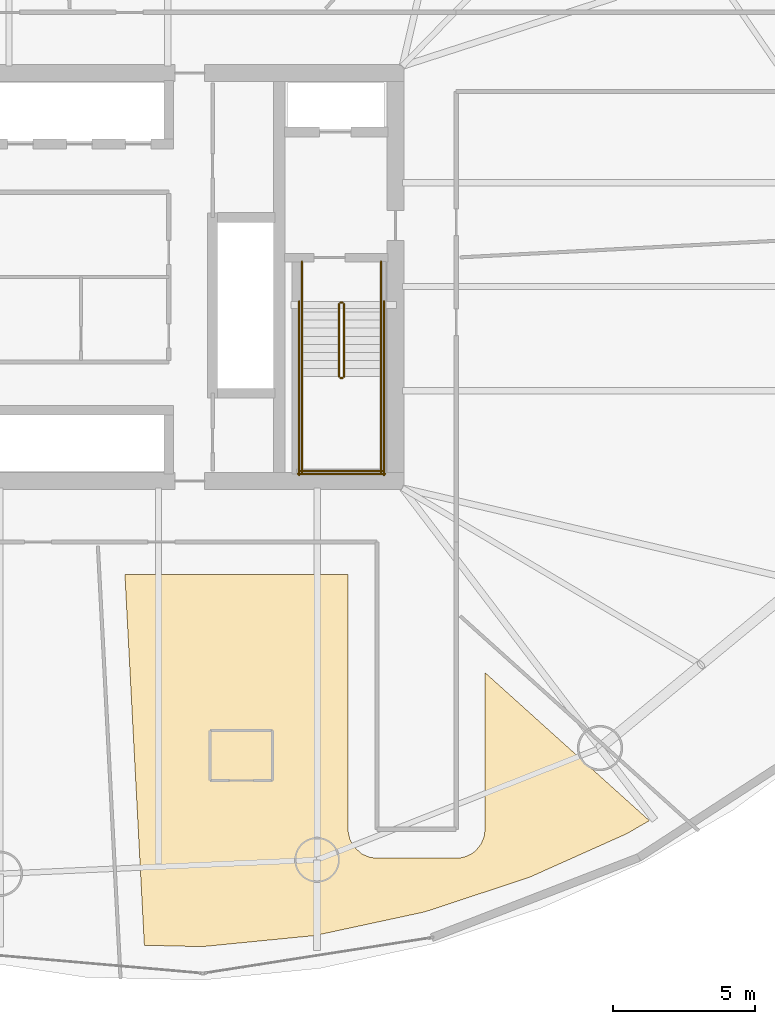
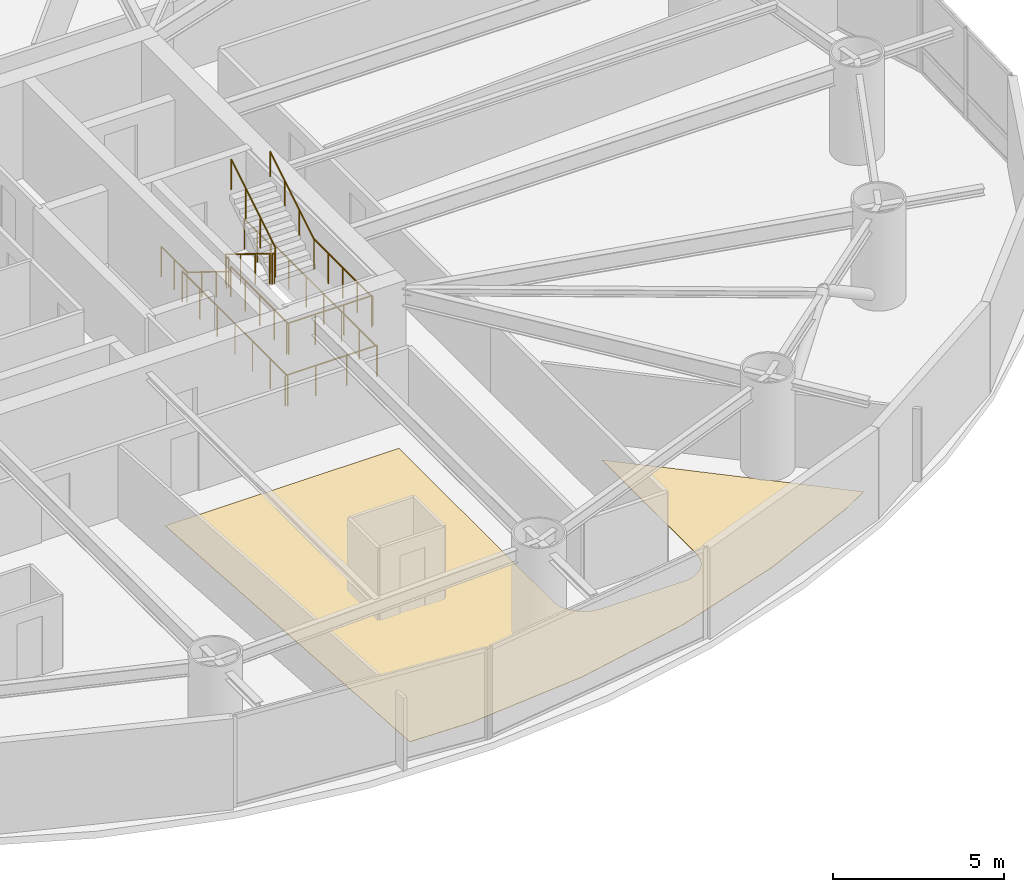
# One storey, part 23 of 24: 14 railings, 1 covering.
"""IFC4 building model written with IfcOpenShell, lengths in metres."""

from ifc_helpers import new_model, si_unit, direction, frame, origin, origin_2d, place, context, subcontext, project, spatial, polyline, circle, outline, extrude, material, layer, layer_set, type_object, element, save


model = new_model("IFC4")

# Units and contexts
model_context = context("Model", 3, precision=1e-05, world=origin(), true_north=direction((0.0, 1.0)))
body_context = subcontext(model_context, "Body", "Model", "MODEL_VIEW")
ifc_project = project(units=[si_unit("LENGTHUNIT", "METRE"), si_unit("AREAUNIT", "SQUARE_METRE"), si_unit("VOLUMEUNIT", "CUBIC_METRE"), si_unit("PLANEANGLEUNIT", "RADIAN"), si_unit("MASSUNIT", "GRAM", prefix="KILO")], contexts=[model_context])

# Site, building, storey
site_placement = place(None, origin())
site = spatial("IfcSite", under=ifc_project, at=site_placement, CompositionType="ELEMENT")
building_placement = place(site_placement, origin())
building = spatial("IfcBuilding", under=site, at=building_placement, Name="Bramvorn Convention Spire", CompositionType="ELEMENT")
storey_placement = place(building_placement, frame((0.0, 0.0, 83.39990234375)))
storey = spatial("IfcBuildingStorey", under=building, at=storey_placement, Name="L19", CompositionType="ELEMENT", Elevation=83.39990234375)

# Covering
ifc_material_1 = material(Name="Solution-Dyed Wool Broadloom Hospitality Carpet", Category="textile")
ifc_layer = layer(ifc_material_1, 0.014892578125)
ifc_layer_set = layer_set([ifc_layer], Name="Solution-Dyed Wool Broadloom Hospitality Carpet - FLR-CARPET-15")
covering_type = type_object("IfcCoveringType", Name="FLR-CARPET-15", PredefinedType="FLOORING", material=ifc_layer_set)
covering_placement = place(storey_placement, origin())
element("IfcCovering", 1, at=covering_placement, inside=storey, type_object=covering_type, Name="Hotel Suite 1907 wool broadloom carpet", PredefinedType="FLOORING", context=body_context, shape_type="SweptSolid", body=[
    extrude(outline(polyline([(57.169677734375, 6.344482421875), (57.970947265625, 6.806884765625), (52.169921875, 12.0302734375), (52.169921875, 6.5), (52.137939453125, 6.24658203125), (52.021728515625, 5.970703125), (51.83935546875, 5.748291015625), (51.679443359375, 5.62841796875), (51.488037109375, 5.537841796875), (51.293701171875, 5.490234375), (48.35009765625, 5.47998046875), (48.096435546875, 5.51220703125), (47.820556640625, 5.62841796875), (47.534423828125, 5.8876953125), (47.3916015625, 6.15087890625), (47.331787109375, 6.444091796875), (47.330078125, 15.5), (39.451416015625, 15.5), (40.1376953125, 2.406494140625), (42.177734375, 2.3583984375), (46.159423828125, 2.75), (50.037353515625, 3.584716796875), (53.733154296875, 4.80517578125), (57.169677734375, 6.344482421875)])), origin(), (0.0, 0.0, 1.0), 0.01513671875),
])

# Railings
ifc_material_2 = material(Name="Painted Steel Balustrade & Guardrail", Category="steel")
railing_type_1 = type_object("IfcRailingType", Name="RL-STAIR-GUARD-1100", PredefinedType="GUARDRAIL", material=ifc_material_2)
railing_1_placement = place(storey_placement, frame((47.010009765625, 25.050048828125, 0.175048828125)))
element("IfcRailing", 2, at=railing_1_placement, inside=storey, type_object=railing_type_1, Name="L19 ST2 stair guard 1", PredefinedType="GUARDRAIL", context=body_context, shape_type="SweptSolid", body=[
    extrude(circle(Radius=0.02392578125, at=origin_2d()), frame((0.0, 0.0, 1.076171875), z_axis=(0.0, -0.852173129349, 0.523259933127), x_axis=(1.0, 0.0, 0.0)), (0.0, 0.0, 1.0), 3.009765625),
    extrude(circle(Radius=0.02099609375, at=origin_2d()), origin(), (0.0, 0.0, 1.0), 1.052001953125),
    extrude(circle(Radius=0.02099609375, at=origin_2d()), frame((0.0, -0.85498046875, 0.52490234375)), (0.0, 0.0, 1.0), 1.052001953125),
    extrude(circle(Radius=0.02099609375, at=origin_2d()), frame((0.0, -1.7099609375, 1.050048828125)), (0.0, 0.0, 1.0), 1.052001953125),
    extrude(circle(Radius=0.02099609375, at=origin_2d()), frame((0.0, -2.56494140625, 1.574951171875)), (0.0, 0.0, 1.0), 1.052001953125),
])
railing_2_placement = place(storey_placement, frame((47.06005859375, 22.43505859375, 1.75)))
element("IfcRailing", 3, at=railing_2_placement, inside=storey, type_object=railing_type_1, Name="L19 ST2 stair guard 2", PredefinedType="GUARDRAIL", context=body_context, shape_type="SweptSolid", body=[
    extrude(circle(Radius=0.02392578125, at=origin_2d()), frame((0.0, 0.0, 1.076171875), z_axis=(1.0, 0.0, 0.0), x_axis=(0.0, 1.0, 0.0)), (0.0, 0.0, 1.0), 0.079833984375),
    extrude(circle(Radius=0.02099609375, at=origin_2d()), origin(), (0.0, 0.0, 1.0), 1.052001953125),
    extrude(circle(Radius=0.02099609375, at=origin_2d()), frame((0.079833984375, 0.0, 0.0)), (0.0, 0.0, 1.0), 1.052001953125),
])
for number, where, name in (
    (4, (45.699951171875, 22.485107421875, 1.75), "L19 ST2 stair guard 3"),
    (5, (48.5, 22.485107421875, 1.75), "L19 ST2 stair guard 4"),
):
    element("IfcRailing", number, at=place(storey_placement, frame(where)), inside=storey, type_object=railing_type_1, Name=name, PredefinedType="GUARDRAIL", context=body_context, shape_type="SweptSolid", body=[
        extrude(circle(Radius=0.02392578125, at=origin_2d()), frame((0.0, 0.0, 1.076171875), z_axis=(0.0, -1.0, 0.0), x_axis=(1.0, 0.0, 0.0)), (0.0, 0.0, 1.0), 3.385009765625),
        extrude(circle(Radius=0.02099609375, at=origin_2d()), origin(), (0.0, 0.0, 1.0), 1.052001953125),
        extrude(circle(Radius=0.02099609375, at=origin_2d()), frame((0.0, -0.84619140625, 0.0)), (0.0, 0.0, 1.0), 1.052001953125),
        extrude(circle(Radius=0.02099609375, at=origin_2d()), frame((0.0, -1.6923828125, 0.0)), (0.0, 0.0, 1.0), 1.052001953125),
        extrude(circle(Radius=0.02099609375, at=origin_2d()), frame((0.0, -2.538818359375, 0.0)), (0.0, 0.0, 1.0), 1.052001953125),
        extrude(circle(Radius=0.02099609375, at=origin_2d()), frame((0.0, -3.385009765625, 0.0)), (0.0, 0.0, 1.0), 1.052001953125),
    ])
railing_3_placement = place(storey_placement, frame((45.64990234375, 19.14990234375, 1.75)))
element("IfcRailing", 6, at=railing_3_placement, inside=storey, type_object=railing_type_1, Name="L19 ST2 stair guard 5", PredefinedType="GUARDRAIL", context=body_context, shape_type="SweptSolid", body=[
    extrude(circle(Radius=0.02392578125, at=origin_2d()), frame((0.0, 0.0, 1.076171875), z_axis=(1.0, 0.0, 0.0), x_axis=(0.0, 1.0, 0.0)), (0.0, 0.0, 1.0), 2.900146484375),
    extrude(circle(Radius=0.02099609375, at=origin_2d()), origin(), (0.0, 0.0, 1.0), 1.052001953125),
    extrude(circle(Radius=0.02099609375, at=origin_2d()), frame((0.966796875, 0.0, 0.0)), (0.0, 0.0, 1.0), 1.052001953125),
    extrude(circle(Radius=0.02099609375, at=origin_2d()), frame((1.933349609375, 0.0, 0.0)), (0.0, 0.0, 1.0), 1.052001953125),
    extrude(circle(Radius=0.02099609375, at=origin_2d()), frame((2.900146484375, 0.0, 0.0)), (0.0, 0.0, 1.0), 1.052001953125),
])
railing_4_placement = place(storey_placement, frame((47.18994140625, 22.485107421875, 1.925048828125)))
element("IfcRailing", 7, at=railing_4_placement, inside=storey, type_object=railing_type_1, Name="L19 ST2 stair guard 6", PredefinedType="GUARDRAIL", context=body_context, shape_type="SweptSolid", body=[
    extrude(circle(Radius=0.02392578125, at=origin_2d()), frame((0.0, 0.0, 1.076171875), z_axis=(0.0, 0.852173129349, 0.523259933127), x_axis=(-1.0, 0.0, 0.0)), (0.0, 0.0, 1.0), 3.009765625),
    extrude(circle(Radius=0.02099609375, at=origin_2d()), origin(), (0.0, 0.0, 1.0), 1.052001953125),
    extrude(circle(Radius=0.02099609375, at=origin_2d()), frame((0.0, 0.85498046875, 0.52490234375)), (0.0, 0.0, 1.0), 1.052001953125),
    extrude(circle(Radius=0.02099609375, at=origin_2d()), frame((0.0, 1.7099609375, 1.050048828125)), (0.0, 0.0, 1.0), 1.052001953125),
    extrude(circle(Radius=0.02099609375, at=origin_2d()), frame((0.0, 2.56494140625, 1.574951171875)), (0.0, 0.0, 1.0), 1.052001953125),
])
railing_5_placement = place(storey_placement, frame((47.06005859375, 25.10009765625, 0.0)))
element("IfcRailing", 8, at=railing_5_placement, inside=storey, type_object=railing_type_1, Name="L19 ST2 stair guard 7", PredefinedType="GUARDRAIL", context=body_context, shape_type="SweptSolid", body=[
    extrude(circle(Radius=0.02392578125, at=origin_2d()), frame((0.0, 0.0, 1.076171875), z_axis=(1.0, 0.0, 0.0), x_axis=(0.0, 1.0, 0.0)), (0.0, 0.0, 1.0), 0.079833984375),
    extrude(circle(Radius=0.02099609375, at=origin_2d()), origin(), (0.0, 0.0, 1.0), 1.052001953125),
    extrude(circle(Radius=0.02099609375, at=origin_2d()), frame((0.079833984375, 0.0, 0.0)), (0.0, 0.0, 1.0), 1.052001953125),
])
for number, where, name in (
    (9, (45.699951171875, 26.550048828125, 0.0), "L19 ST2 stair guard 8"),
    (10, (48.5, 26.550048828125, 0.0), "L19 ST2 stair guard 9"),
):
    element("IfcRailing", number, at=place(storey_placement, frame(where)), inside=storey, type_object=railing_type_1, Name=name, PredefinedType="GUARDRAIL", context=body_context, shape_type="SweptSolid", body=[
        extrude(circle(Radius=0.02392578125, at=origin_2d()), frame((0.0, 0.0, 1.076171875), z_axis=(0.0, -1.0, 0.0), x_axis=(1.0, 0.0, 0.0)), (0.0, 0.0, 1.0), 1.5),
        extrude(circle(Radius=0.02099609375, at=origin_2d()), origin(), (0.0, 0.0, 1.0), 1.052001953125),
        extrude(circle(Radius=0.02099609375, at=origin_2d()), frame((0.0, -0.75, 0.0)), (0.0, 0.0, 1.0), 1.052001953125),
        extrude(circle(Radius=0.02099609375, at=origin_2d()), frame((0.0, -1.5, 0.0)), (0.0, 0.0, 1.0), 1.052001953125),
    ])
for number, where, name in (
    (11, (45.60009765625, 25.14990234375, 0.0), "L19 ST2 stair guard 10"),
    (12, (48.60009765625, 25.14990234375, 0.0), "L19 ST2 stair guard 11"),
):
    element("IfcRailing", number, at=place(storey_placement, frame(where)), inside=storey, type_object=railing_type_1, Name=name, PredefinedType="GUARDRAIL", context=body_context, shape_type="SweptSolid", body=[
        extrude(circle(Radius=0.02392578125, at=origin_2d()), frame((0.0, 0.0, 1.076171875), z_axis=(0.0, -1.0, 0.0), x_axis=(1.0, 0.0, 0.0)), (0.0, 0.0, 1.0), 6.14990234375),
        extrude(circle(Radius=0.02099609375, at=origin_2d()), origin(), (0.0, 0.0, 1.0), 1.052001953125),
        extrude(circle(Radius=0.02099609375, at=origin_2d()), frame((0.0, -1.02490234375, 0.0)), (0.0, 0.0, 1.0), 1.052001953125),
        extrude(circle(Radius=0.02099609375, at=origin_2d()), frame((0.0, -2.050048828125, 0.0)), (0.0, 0.0, 1.0), 1.052001953125),
        extrude(circle(Radius=0.02099609375, at=origin_2d()), frame((0.0, -3.074951171875, 0.0)), (0.0, 0.0, 1.0), 1.052001953125),
        extrude(circle(Radius=0.02099609375, at=origin_2d()), frame((0.0, -4.099853515625, 0.0)), (0.0, 0.0, 1.0), 1.052001953125),
        extrude(circle(Radius=0.02099609375, at=origin_2d()), frame((0.0, -5.125, 0.0)), (0.0, 0.0, 1.0), 1.052001953125),
        extrude(circle(Radius=0.02099609375, at=origin_2d()), frame((0.0, -6.14990234375, 0.0)), (0.0, 0.0, 1.0), 1.052001953125),
    ])
railing_6_placement = place(storey_placement, frame((45.550048828125, 19.050048828125, 0.0)))
element("IfcRailing", 13, at=railing_6_placement, inside=storey, type_object=railing_type_1, Name="L19 ST2 stair guard 12", PredefinedType="GUARDRAIL", context=body_context, shape_type="SweptSolid", body=[
    extrude(circle(Radius=0.02392578125, at=origin_2d()), frame((0.0, 0.0, 1.076171875), z_axis=(1.0, 0.0, 0.0), x_axis=(0.0, 1.0, 0.0)), (0.0, 0.0, 1.0), 3.099853515625),
    extrude(circle(Radius=0.02099609375, at=origin_2d()), origin(), (0.0, 0.0, 1.0), 1.052001953125),
    extrude(circle(Radius=0.02099609375, at=origin_2d()), frame((1.033203125, 0.0, 0.0)), (0.0, 0.0, 1.0), 1.052001953125),
    extrude(circle(Radius=0.02099609375, at=origin_2d()), frame((2.066650390625, 0.0, 0.0)), (0.0, 0.0, 1.0), 1.052001953125),
    extrude(circle(Radius=0.02099609375, at=origin_2d()), frame((3.099853515625, 0.0, 0.0)), (0.0, 0.0, 1.0), 1.052001953125),
])
ifc_material_3 = material(Name="Brushed Bronze Tubular Handrail", Category="aluminium")
railing_type_2 = type_object("IfcRailingType", Name="RL-STAIR-HR-920", PredefinedType="HANDRAIL", material=ifc_material_3)
railing_7_placement = place(storey_placement, frame((45.699951171875, 25.050048828125, 0.175048828125)))
element("IfcRailing", 14, at=railing_7_placement, inside=storey, type_object=railing_type_2, Name="L19 ST2 stair handrail 1", PredefinedType="HANDRAIL", context=body_context, shape_type="SweptSolid", body=[
    extrude(circle(Radius=0.02392578125, at=origin_2d()), frame((0.0, 0.0, 0.89599609375), z_axis=(0.0, -0.852173129349, 0.523259933127), x_axis=(1.0, 0.0, 0.0)), (0.0, 0.0, 1.0), 3.009765625),
    extrude(circle(Radius=0.02099609375, at=origin_2d()), origin(), (0.0, 0.0, 1.0), 0.871826171875),
    extrude(circle(Radius=0.02099609375, at=origin_2d()), frame((0.0, -0.85498046875, 0.52490234375)), (0.0, 0.0, 1.0), 0.871826171875),
    extrude(circle(Radius=0.02099609375, at=origin_2d()), frame((0.0, -1.7099609375, 1.050048828125)), (0.0, 0.0, 1.0), 0.871826171875),
    extrude(circle(Radius=0.02099609375, at=origin_2d()), frame((0.0, -2.56494140625, 1.574951171875)), (0.0, 0.0, 1.0), 0.871826171875),
])
railing_8_placement = place(storey_placement, frame((48.5, 22.485107421875, 1.925048828125)))
element("IfcRailing", 15, at=railing_8_placement, inside=storey, type_object=railing_type_2, Name="L19 ST2 stair handrail 2", PredefinedType="HANDRAIL", context=body_context, shape_type="SweptSolid", body=[
    extrude(circle(Radius=0.02392578125, at=origin_2d()), frame((0.0, 0.0, 0.89599609375), z_axis=(0.0, 0.852173129349, 0.523259933127), x_axis=(-1.0, 0.0, 0.0)), (0.0, 0.0, 1.0), 3.009765625),
    extrude(circle(Radius=0.02099609375, at=origin_2d()), origin(), (0.0, 0.0, 1.0), 0.871826171875),
    extrude(circle(Radius=0.02099609375, at=origin_2d()), frame((0.0, 0.85498046875, 0.52490234375)), (0.0, 0.0, 1.0), 0.871826171875),
    extrude(circle(Radius=0.02099609375, at=origin_2d()), frame((0.0, 1.7099609375, 1.050048828125)), (0.0, 0.0, 1.0), 0.871826171875),
    extrude(circle(Radius=0.02099609375, at=origin_2d()), frame((0.0, 2.56494140625, 1.574951171875)), (0.0, 0.0, 1.0), 0.871826171875),
])

save(model, "model.ifc")
